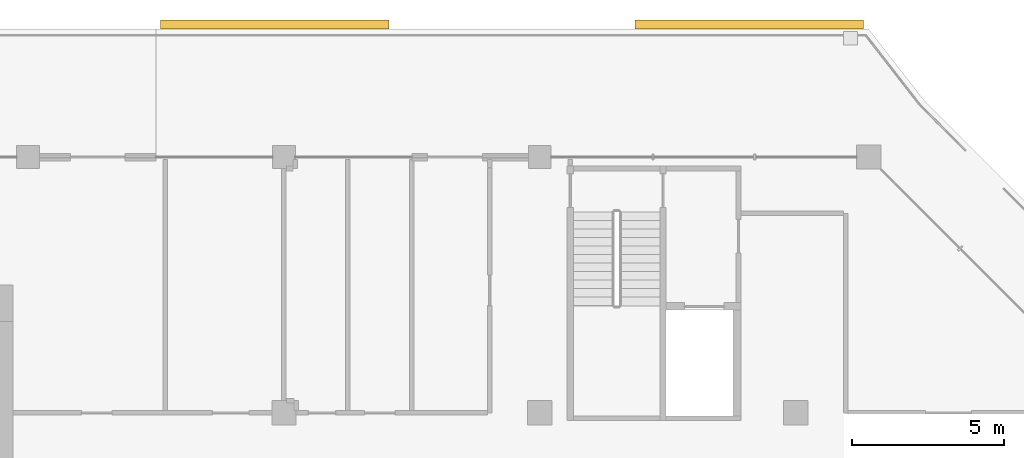
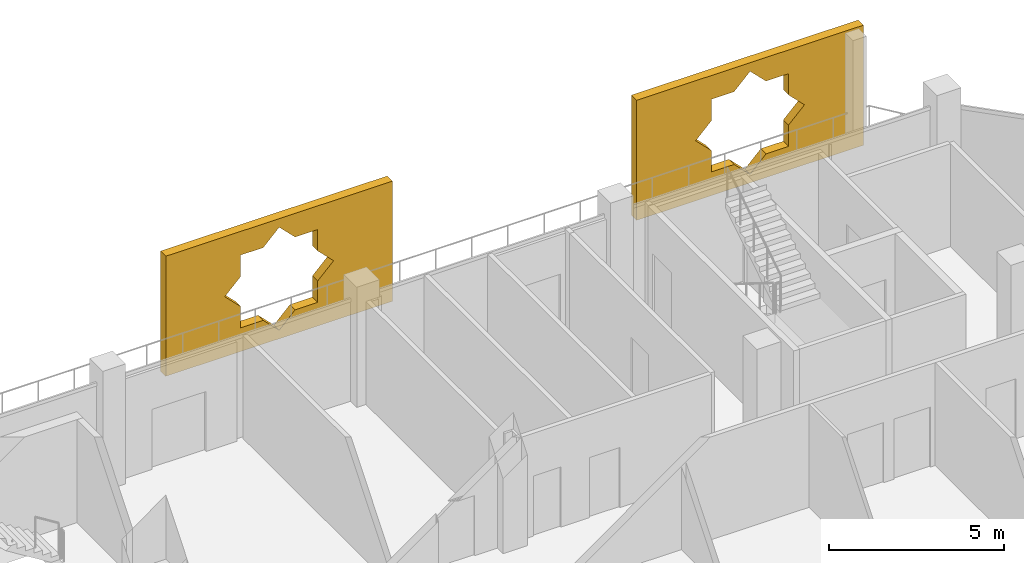
# One storey, part 20 of 20: 2 coverings.
"""IFC4 building model written with IfcOpenShell, lengths in metres."""

from ifc_helpers import new_model, si_unit, direction, frame, origin, place, context, subcontext, project, spatial, polyline, outline, extrude, material, material_profile, profile_set, type_object, element, save


model = new_model("IFC4")

# Units and contexts
model_context = context("Model", 3, precision=1e-05, world=origin(), true_north=direction((0.0, 1.0)))
body_context = subcontext(model_context, "Body", "Model", "MODEL_VIEW")
ifc_project = project(units=[si_unit("LENGTHUNIT", "METRE"), si_unit("AREAUNIT", "SQUARE_METRE"), si_unit("VOLUMEUNIT", "CUBIC_METRE"), si_unit("PLANEANGLEUNIT", "RADIAN"), si_unit("MASSUNIT", "GRAM", prefix="KILO")], contexts=[model_context])

# Site, building, storey
site_placement = place(None, origin())
site = spatial("IfcSite", under=ifc_project, at=site_placement, CompositionType="ELEMENT")
building_placement = place(site_placement, origin())
building = spatial("IfcBuilding", under=site, at=building_placement, Name="Kawkab Arch Medical Tower", CompositionType="ELEMENT")
storey_placement = place(building_placement, frame((0.0, 0.0, 290.199951171875)))
storey = spatial("IfcBuildingStorey", under=building, at=storey_placement, Name="L67", CompositionType="ELEMENT", Elevation=290.199951171875)

# Coverings
ifc_material = material(Name="Bronze anodised aluminium mashrabiya panel, eight-point star pattern", Category="aluminium")
ifc_material_profile = material_profile(ifc_material, outline(polyline([(-3.75, -2.10009765625), (3.75, -2.10009765625), (3.75, 2.10009765625), (-3.75, 2.10009765625), (-3.75, -2.10009765625)]), holes=[polyline([(1.800048828125, 0.0), (1.272705078125, 0.527099609375), (1.272705078125, 1.272705078125), (0.527099609375, 1.272705078125), (0.0, 1.800048828125), (-0.527099609375, 1.272705078125), (-1.272705078125, 1.272705078125), (-1.272705078125, 0.527099609375), (-1.800048828125, 0.0), (-1.272705078125, -0.527099609375), (-1.272705078125, -1.272705078125), (-0.527099609375, -1.272705078125), (0.0, -1.800048828125), (0.527099609375, -1.272705078125), (1.272705078125, -1.272705078125), (1.272705078125, -0.527099609375), (1.800048828125, 0.0)])]), Name="Mashrabiya panel 7500x4200")
ifc_profile_set = profile_set([ifc_material_profile], Name="Bronze anodised aluminium mashrabiya panel, eight-point star pattern")
covering_type = type_object("IfcCoveringType", Name="Mashrabiya panel 7500 x 4200", PredefinedType="USERDEFINED", material=ifc_profile_set)
for number, where, z_axis, x_axis, name in (
    (1, (33.29931640625, 4.199951171875, 1.699951171875), (0.0, 1.0, 0.0), (-1.0, 0.0, 0.0), "Mashrabiya panel L67.LOG-01-01.5"),
    (2, (48.8759765625, 4.199951171875, 1.699951171875), (0.0, 1.0, 0.0), (-1.0, 0.0, 0.0), "Mashrabiya panel L67.LOG-01-01.6"),
):
    element("IfcCovering", number, at=place(storey_placement, frame(where, z_axis=z_axis, x_axis=x_axis)), inside=storey, type_object=covering_type, Name=name, ObjectType="SCREEN", PredefinedType="USERDEFINED", context=body_context, shape_type="SweptSolid", body=[
        extrude(outline(polyline([(-3.75, -2.10009765625), (3.75, -2.10009765625), (3.75, 2.10009765625), (-3.75, 2.10009765625), (-3.75, -2.10009765625)]), holes=[polyline([(1.800048828125, 0.0), (1.272705078125, 0.527099609375), (1.272705078125, 1.272705078125), (0.527099609375, 1.272705078125), (0.0, 1.800048828125), (-0.527099609375, 1.272705078125), (-1.272705078125, 1.272705078125), (-1.272705078125, 0.527099609375), (-1.800048828125, 0.0), (-1.272705078125, -0.527099609375), (-1.272705078125, -1.272705078125), (-0.527099609375, -1.272705078125), (0.0, -1.800048828125), (0.527099609375, -1.272705078125), (1.272705078125, -1.272705078125), (1.272705078125, -0.527099609375), (1.800048828125, 0.0)])]), origin(), (0.0, 0.0, 1.0), 0.300048828125),
    ])

save(model, "model.ifc")
